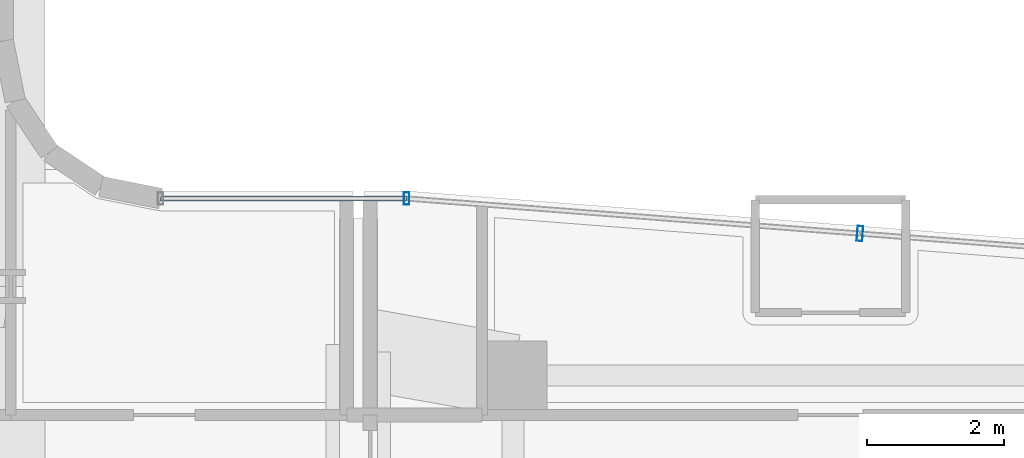
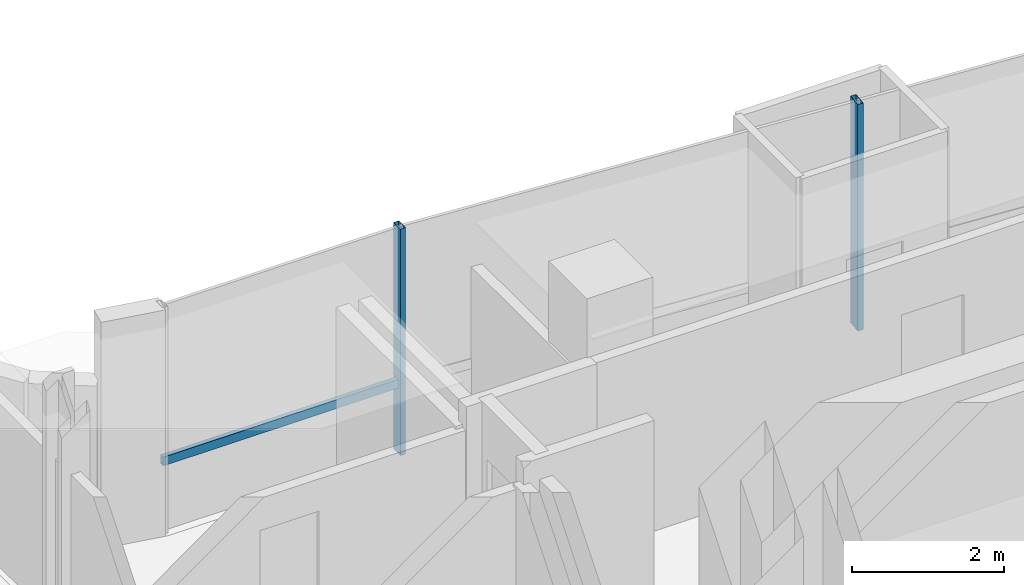
# One storey, part 22 of 36: 3 members, 2 elements without a shape of their own.
"""IFC4 building model written with IfcOpenShell, lengths in metres."""

import ifcopenshell
import ifcopenshell.guid

model = None  # the IFC model being written
_history = None  # IfcOwnerHistory: only IFC2X3 demands one
_inside = {}  # id of a spatial element -> (the spatial element, [elements in it])
_under = {}  # id of a project, library or spatial element -> (it, [spatial elements below it])
_declared = {}  # id of a project -> (the project, [libraries it declares])
_typed = {}  # id of a type object -> (the type object, [elements of that type])
_made_of = {}  # id of a material, layer set ... -> (it, [elements and type objects made of it])


def new_model(schema):
    """Start an empty IFC model of exactly this schema.

    Asked for "IFC4X3", IfcOpenShell would pick the latest addendum, in which some entities
    have other attributes; the version numbers below select the first issue.
    IFC2X3 requires an IfcOwnerHistory on every rooted entity: one is made here for all.
    """
    global model, _history
    if schema == "IFC4X3":
        model = ifcopenshell.file(schema_version=(4, 3, 0, 0))
    else:
        model = ifcopenshell.file(schema=schema)
    _inside.clear()
    _under.clear()
    _declared.clear()
    _typed.clear()
    _made_of.clear()
    _history = None
    if model.schema == "IFC2X3":
        org = make("IfcOrganization", Name="unknown")
        user = make(
            "IfcPersonAndOrganization",
            ThePerson=make("IfcPerson", FamilyName="unknown"),
            TheOrganization=org,
        )
        app = make(
            "IfcApplication",
            ApplicationDeveloper=org,
            Version="unknown",
            ApplicationFullName="unknown",
            ApplicationIdentifier="unknown",
        )
        _history = make(
            "IfcOwnerHistory",
            OwningUser=user,
            OwningApplication=app,
            ChangeAction="ADDED",
            CreationDate=0,
        )
    return model


def make(cls, **values):
    """One entity of the class cls with the attributes given. An attribute that is None is left unset."""
    return model.create_entity(
        cls, **{name: value for name, value in values.items() if value is not None}
    )


def rooted(cls, **values):
    """An entity with a GlobalId (a new one), such as an element, a storey or a relation."""
    return make(cls, GlobalId=ifcopenshell.guid.new(), OwnerHistory=_history, **values)


def si_unit(unit_type, name, prefix=None):
    """IfcSIUnit, for example si_unit("LENGTHUNIT", "METRE", prefix="MILLI")."""
    return make("IfcSIUnit", UnitType=unit_type, Prefix=prefix, Name=name)


def assignment(units):
    """IfcUnitAssignment: the units of a project."""
    return None if units is None else make("IfcUnitAssignment", Units=units)


def point(xyz):
    """IfcCartesianPoint."""
    return None if xyz is None else make("IfcCartesianPoint", Coordinates=xyz)


def direction(xyz):
    """IfcDirection."""
    return None if xyz is None else make("IfcDirection", DirectionRatios=xyz)


def frame(location, z_axis=None, x_axis=None):
    """IfcAxis2Placement3D, a coordinate frame: its origin and axes. An axis left out is left unset."""
    return make(
        "IfcAxis2Placement3D",
        Location=point(location),
        Axis=direction(z_axis),
        RefDirection=direction(x_axis),
    )


def frame_2d(location, x_axis=None):
    """IfcAxis2Placement2D, a coordinate frame in the plane: its origin and x axis."""
    return make(
        "IfcAxis2Placement2D", Location=point(location), RefDirection=direction(x_axis)
    )


def origin():
    """The frame at (0, 0, 0) with its axes left unset."""
    return frame((0.0, 0.0, 0.0))


def origin_2d():
    """The frame at (0, 0) in the plane with its x axis left unset."""
    return frame_2d((0.0, 0.0))


def place(relative_to, where):
    """IfcLocalPlacement: puts the frame where relative to a parent placement (None: the world)."""
    return make(
        "IfcLocalPlacement", PlacementRelTo=relative_to, RelativePlacement=where
    )


def context(
    kind, dimensions, precision=None, world=None, true_north=None, identifier=None
):
    """IfcGeometricRepresentationContext, for example the 3D "Model" context."""
    return make(
        "IfcGeometricRepresentationContext",
        ContextIdentifier=identifier,
        ContextType=kind,
        CoordinateSpaceDimension=dimensions,
        Precision=precision,
        WorldCoordinateSystem=world,
        TrueNorth=true_north,
    )


def subcontext(parent, identifier, kind, view, scale=None):
    """IfcGeometricRepresentationSubContext, for example "Body" below "Model"."""
    return make(
        "IfcGeometricRepresentationSubContext",
        ContextIdentifier=identifier,
        ContextType=kind,
        ParentContext=parent,
        TargetScale=scale,
        TargetView=view,
    )


def project(units=None, contexts=None):
    """IfcProject with its units and contexts."""
    return rooted(
        "IfcProject",
        Name="project",
        RepresentationContexts=contexts,
        UnitsInContext=assignment(units),
    )


def spatial(cls, under=None, at=None, **own):
    """A site, building, storey or space (cls), placed at a placement, below another one or the project."""
    s = rooted(cls, ObjectPlacement=at, **own)
    if under is not None:
        _under.setdefault(under.id(), (under, []))[1].append(s)
    return s


def profile(cls, at=None, kind="AREA", **sizes):
    """A parametric profile (cls). Its sizes go by their IFC names, for example OverallWidth=200.0."""
    return make(cls, ProfileType=kind, Position=at, **sizes)


def hollow_rectangle(**sizes):
    """IfcRectangleHollowProfileDef."""
    return profile("IfcRectangleHollowProfileDef", **sizes)


def extrude(swept, where, along, depth):
    """IfcExtrudedAreaSolid: the profile swept, set in the frame where, extruded along a direction by depth."""
    return make(
        "IfcExtrudedAreaSolid",
        SweptArea=swept,
        Position=where,
        ExtrudedDirection=direction(along),
        Depth=depth,
    )


def shape(context_of_items, identifier, shape_type, items):
    """IfcShapeRepresentation: the items that make up one representation, for example the "Body"."""
    return make(
        "IfcShapeRepresentation",
        ContextOfItems=context_of_items,
        RepresentationIdentifier=identifier,
        RepresentationType=shape_type,
        Items=items,
    )


def source(mapping_origin, context_of_items, identifier, shape_type, items):
    """IfcRepresentationMap: a shape defined once, which mapped items show again and again."""
    return make(
        "IfcRepresentationMap",
        MappingOrigin=mapping_origin,
        MappedRepresentation=shape(context_of_items, identifier, shape_type, items),
    )


def transform(
    local_origin,
    x_axis=None,
    y_axis=None,
    z_axis=None,
    scale=None,
    scale2=None,
    scale3=None,
    uniform=True,
):
    """IfcCartesianTransformationOperator3D, or its non-uniform kind. x_axis, y_axis, z_axis: its Axis1, 2, 3."""
    if uniform:
        return make(
            "IfcCartesianTransformationOperator3D",
            Axis1=direction(x_axis),
            Axis2=direction(y_axis),
            LocalOrigin=point(local_origin),
            Scale=scale,
            Axis3=direction(z_axis),
        )
    return make(
        "IfcCartesianTransformationOperator3DnonUniform",
        Axis1=direction(x_axis),
        Axis2=direction(y_axis),
        LocalOrigin=point(local_origin),
        Scale=scale,
        Axis3=direction(z_axis),
        Scale2=scale2,
        Scale3=scale3,
    )


def mapped(mapping_source, mapping_target):
    """IfcMappedItem: shows the shape of a source again, moved by a transform."""
    return make(
        "IfcMappedItem", MappingSource=mapping_source, MappingTarget=mapping_target
    )


def material(Name=None, Category=None):
    """IfcMaterial."""
    return make("IfcMaterial", Name=Name, Category=Category)


def material_profile(
    of_material, cross_section, Name=None, Category=None, Priority=None
):
    """IfcMaterialProfile: a cross section and its material."""
    return make(
        "IfcMaterialProfile",
        Name=Name,
        Material=of_material,
        Profile=cross_section,
        Priority=Priority,
        Category=Category,
    )


def profile_set(profiles, Name=None, composite=None):
    """IfcMaterialProfileSet."""
    return make(
        "IfcMaterialProfileSet",
        Name=Name,
        MaterialProfiles=profiles,
        CompositeProfile=composite,
    )


def made_of(thing, what):
    """Note that an element or type object is made of a material, layer set ...; save() writes the relation."""
    if what is not None:
        _made_of.setdefault(what.id(), (what, []))[1].append(thing)
    return thing


def type_object(cls, material=None, **own):
    """A type object (cls), such as IfcWallType, which elements share."""
    return made_of(rooted(cls, **own), material)


def element(
    cls,
    number,
    at=None,
    inside=None,
    cuts=None,
    type_object=None,
    material=None,
    context=None,
    identifier="Body",
    shape_type=None,
    held_by="IfcProductDefinitionShape",
    body=None,
    shapes=None,
    **own,
):
    """One element of the class cls, such as IfcWall. Its Tag is "e" and its number.

    at: its placement. inside: the storey or other place that contains it. cuts: it is an
    opening in that element (IfcRelVoidsElement). A single representation is given by context,
    identifier, shape_type and body (its items); several are given by shapes. held_by: the class
    of the entity that holds the representations. save() writes the other relations.
    """
    e = rooted(cls, Tag="e%d" % number, ObjectPlacement=at, **own)
    if body is not None:
        shapes = [shape(context, identifier, shape_type, body)]
    if shapes is not None:
        e.Representation = make(held_by, Representations=shapes)
    if inside is not None:
        _inside.setdefault(inside.id(), (inside, []))[1].append(e)
    if cuts is not None:
        rooted(
            "IfcRelVoidsElement", RelatingBuildingElement=cuts, RelatedOpeningElement=e
        )
    if type_object is not None:
        _typed.setdefault(type_object.id(), (type_object, []))[1].append(e)
    return made_of(e, material)


def aggregate(whole, parts):
    """IfcRelAggregates: a whole, such as a stair, and the parts it consists of."""
    return rooted("IfcRelAggregates", RelatingObject=whole, RelatedObjects=parts)


def save(model, path):
    """Write the relations noted so far, then the file.

    IfcRelAggregates (storeys below a building ...), IfcRelContainedInSpatialStructure (elements
    in a storey), IfcRelDefinesByType, IfcRelAssociatesMaterial and IfcRelDeclares: one each for
    every whole, place, type object, material and project.
    """
    for whole, parts in _under.values():
        aggregate(whole, parts)
    for where, things in _inside.values():
        rooted(
            "IfcRelContainedInSpatialStructure",
            RelatedElements=things,
            RelatingStructure=where,
        )
    for kind, things in _typed.values():
        rooted("IfcRelDefinesByType", RelatedObjects=things, RelatingType=kind)
    for what, things in _made_of.values():
        rooted("IfcRelAssociatesMaterial", RelatedObjects=things, RelatingMaterial=what)
    for by, libraries in _declared.values():
        rooted("IfcRelDeclares", RelatingContext=by, RelatedDefinitions=libraries)
    model.write(path)


model = new_model("IFC4")

# Units and contexts
model_context = context("Model", 3, precision=1e-05, world=origin(), true_north=direction((0.0, 1.0)))
body_context = subcontext(model_context, "Body", "Model", "MODEL_VIEW")
ifc_project = project(units=[si_unit("LENGTHUNIT", "METRE"), si_unit("AREAUNIT", "SQUARE_METRE"), si_unit("VOLUMEUNIT", "CUBIC_METRE"), si_unit("PLANEANGLEUNIT", "RADIAN"), si_unit("MASSUNIT", "GRAM", prefix="KILO")], contexts=[model_context])

# Site, building, storey
site_placement = place(None, origin())
site = spatial("IfcSite", under=ifc_project, at=site_placement, CompositionType="ELEMENT")
building_placement = place(site_placement, origin())
building = spatial("IfcBuilding", under=site, at=building_placement, Name="Valdorenza Pilgrim Sanctuary Tower", CompositionType="ELEMENT")
storey_placement = place(building_placement, frame((0.0, 0.0, 176.550048828125)))
storey = spatial("IfcBuildingStorey", under=building, at=storey_placement, Name="L45", CompositionType="ELEMENT", Elevation=176.550048828125)

# Curtain wall, members
ifc_material_1 = material(Name="Curtain-wall IGU glazing", Category="glass")
curtain_wall_type_1 = type_object("IfcCurtainWallType", Name="CW-SYS-05", PredefinedType="NOTDEFINED", material=ifc_material_1)
curtain_wall_1_placement = place(storey_placement, origin())
curtain_wall_1 = element("IfcCurtainWall", 1, at=curtain_wall_1_placement, inside=storey, type_object=curtain_wall_type_1, Name="L45 Curtain Wall CW-L45-1-31", PredefinedType="NOTDEFINED")
ifc_material_2 = material(Name="Anodised aluminium AW-6060", Category="aluminium")
ifc_material_profile_1 = material_profile(ifc_material_2, hollow_rectangle(XDim=0.070068359375, YDim=0.139892578125, WallThickness=0.00341796875, at=origin_2d()), Name="ALU-T 140x70x3.5")
ifc_profile_set_1 = profile_set([ifc_material_profile_1], Name="Anodised aluminium AW-6060")
member_type_1 = type_object("IfcMemberType", Name="CW-TRN-05", PredefinedType="USERDEFINED", material=ifc_profile_set_1)
shared_shape_1 = source(origin(), body_context, "Body", "SweptSolid", [
    extrude(hollow_rectangle(XDim=0.070068359375, YDim=0.139892578125, WallThickness=0.00341796875, at=origin_2d()), origin(), (0.0, 0.0, 1.0), 3.6025390625),
])
member_1_placement = place(storey_placement, frame((10.693115234375, 16.090087890625, 1.119873046875), z_axis=(1.0, 0.0, 0.0), x_axis=(0.0, 1.0, 0.0)))
member_1 = element("IfcMember", 2, at=member_1_placement, type_object=member_type_1, Name="CW-L45-1-31 Transom 1", ObjectType="TRANSOM", PredefinedType="USERDEFINED", context=body_context, shape_type="MappedRepresentation", body=[
    mapped(shared_shape_1, transform((0.0, 0.0, 0.0), x_axis=(1.0, 0.0, 0.0), y_axis=(0.0, 1.0, 0.0), z_axis=(0.0, 0.0, 1.0), scale=1.0)),
])
ifc_material_profile_2 = material_profile(ifc_material_2, hollow_rectangle(XDim=0.080078125, YDim=0.179931640625, WallThickness=0.00439453125, at=origin_2d()), Name="ALU-M 180x80x4.5")
ifc_profile_set_2 = profile_set([ifc_material_profile_2], Name="Anodised aluminium AW-6060")
member_type_2 = type_object("IfcMemberType", Name="CW-MUL-05", PredefinedType="MULLION", material=ifc_profile_set_2)
shared_shape_2 = source(origin(), body_context, "Body", "SweptSolid", [
    extrude(hollow_rectangle(XDim=0.080078125, YDim=0.179931640625, WallThickness=0.00439453125, at=origin_2d()), origin(), (0.0, 0.0, 1.0), 3.6298828125),
])
member_2_placement = place(storey_placement, frame((14.295654296875, 16.090087890625, 0.0), z_axis=(0.0, 0.0, 1.0), x_axis=(1.0, 0.0, 0.0)))
member_2 = element("IfcMember", 3, at=member_2_placement, type_object=member_type_2, Name="CW-L45-1-31 Mullion 2", PredefinedType="MULLION", context=body_context, shape_type="MappedRepresentation", body=[
    mapped(shared_shape_2, transform((0.0, 0.0, 0.0), x_axis=(1.0, 0.0, 0.0), y_axis=(0.0, 1.0, 0.0), z_axis=(0.0, 0.0, 1.0), scale=1.0)),
])
aggregate(curtain_wall_1, [member_2, member_1])

# Curtain wall, member
curtain_wall_type_2 = type_object("IfcCurtainWallType", Name="CW-SYS-03", PredefinedType="NOTDEFINED", material=ifc_material_1)
curtain_wall_2_placement = place(storey_placement, origin())
curtain_wall_2 = element("IfcCurtainWall", 4, at=curtain_wall_2_placement, inside=storey, type_object=curtain_wall_type_2, Name="L45 Curtain Wall CW-L45-1-32", PredefinedType="NOTDEFINED")
ifc_material_profile_3 = material_profile(ifc_material_2, hollow_rectangle(XDim=0.0849609375, YDim=0.219970703125, WallThickness=0.0048828125, at=origin_2d()), Name="ALU-M 220x85x5")
ifc_profile_set_3 = profile_set([ifc_material_profile_3], Name="Anodised aluminium AW-6060")
member_type_3 = type_object("IfcMemberType", Name="CW-MUL-03", PredefinedType="MULLION", material=ifc_profile_set_3)
shared_shape_3 = source(origin(), body_context, "Body", "SweptSolid", [
    extrude(hollow_rectangle(XDim=0.0849609375, YDim=0.219970703125, WallThickness=0.0048828125, at=origin_2d()), origin(), (0.0, 0.0, 1.0), 3.6298828125),
])
member_3_placement = place(storey_placement, frame((20.93115234375, 15.576416015625, 0.0), z_axis=(0.0, 0.0, 1.0), x_axis=(0.997016488532, -0.077188869631, 0.0)))
member_3 = element("IfcMember", 5, at=member_3_placement, type_object=member_type_3, Name="CW-L45-1-32 Mullion 2", PredefinedType="MULLION", context=body_context, shape_type="MappedRepresentation", body=[
    mapped(shared_shape_3, transform((0.0, 0.0, 0.0), x_axis=(1.0, 0.0, 0.0), y_axis=(0.0, 1.0, 0.0), z_axis=(0.0, 0.0, 1.0), scale=1.0)),
])
aggregate(curtain_wall_2, [member_3])

save(model, "model.ifc")
